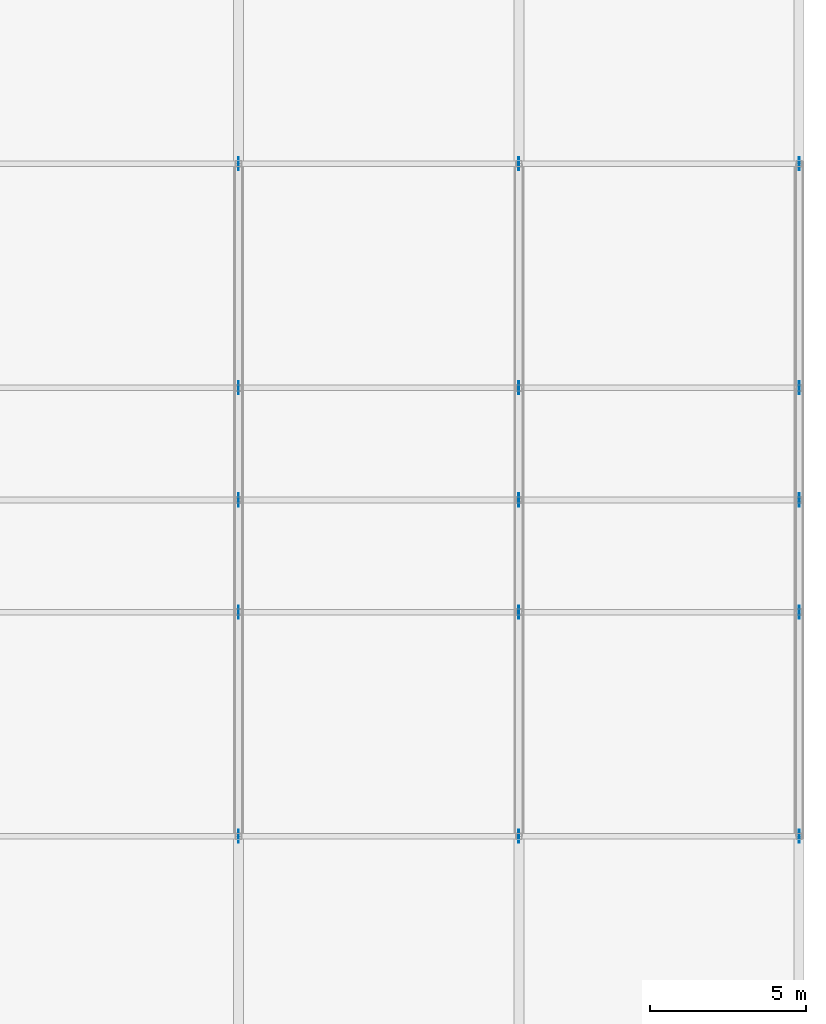
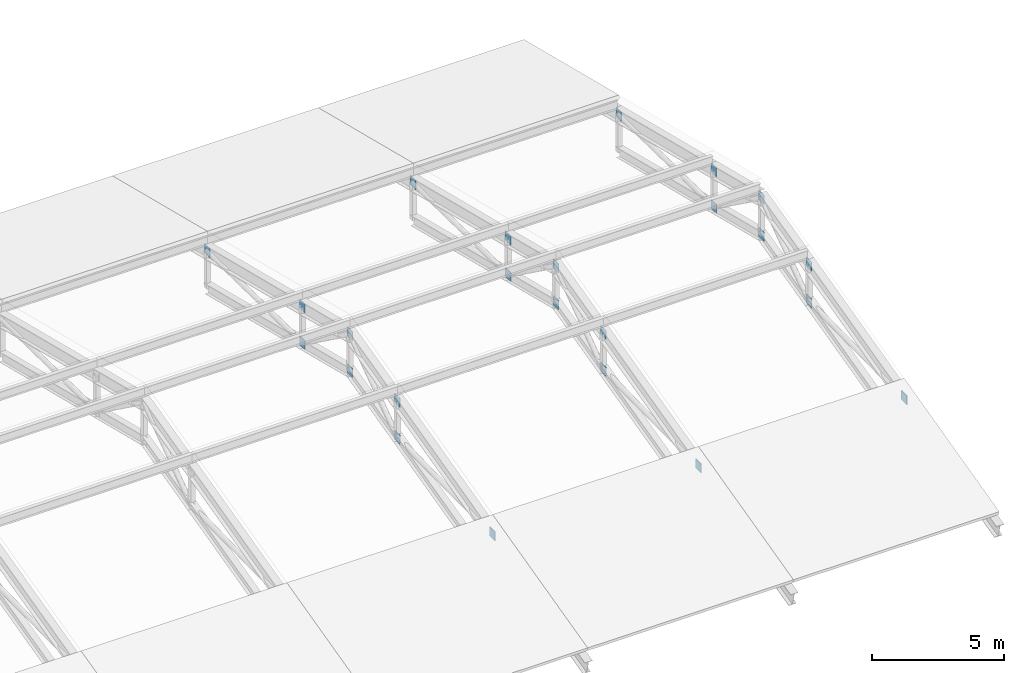
# One storey, part 91 of 124: 24 plates.
"""IFC4 building model written with IfcOpenShell, lengths in metres."""

from ifc_helpers import new_model, si_unit, direction, frame, origin, origin_2d, place, context, subcontext, project, spatial, rectangle, extrude, material, layer, layer_set, type_object, element, save


model = new_model("IFC4")

# Units and contexts
model_context = context("Model", 3, precision=1e-05, world=origin(), true_north=direction((0.0, 1.0)))
body_context = subcontext(model_context, "Body", "Model", "MODEL_VIEW")
ifc_project = project(units=[si_unit("LENGTHUNIT", "METRE"), si_unit("AREAUNIT", "SQUARE_METRE"), si_unit("VOLUMEUNIT", "CUBIC_METRE"), si_unit("PLANEANGLEUNIT", "RADIAN"), si_unit("MASSUNIT", "GRAM", prefix="KILO")], contexts=[model_context])

# Site, building, storey
site_placement = place(None, origin())
site = spatial("IfcSite", under=ifc_project, at=site_placement, CompositionType="ELEMENT")
building_placement = place(site_placement, origin())
building = spatial("IfcBuilding", under=site, at=building_placement, Name="Celestram Park Convention Centre", CompositionType="ELEMENT")
storey_placement = place(building_placement, frame((0.0, 0.0, 15.300048828125)))
storey = spatial("IfcBuildingStorey", under=building, at=storey_placement, Name="L03", CompositionType="ELEMENT", Elevation=15.300048828125)

# Plates
ifc_material = material(Name="Steel ASTM A572 Grade 50", Category="steel")
ifc_layer = layer(ifc_material, 0.02490234375)
ifc_layer_set = layer_set([ifc_layer], Name="Steel ASTM A572 Grade 50")
plate_type = type_object("IfcPlateType", Name="STR-PLT-GP25", PredefinedType="USERDEFINED", material=ifc_layer_set)
for number, where, z_axis, x_axis, name in (
    (1, (198.0, 7.199951171875, 0.697998046875), (0.0, 0.0, 1.0), (0.0, 1.0, 0.0), "V3 truss node gusset plate"),
    (2, (198.0, 14.39990234375, 2.498046875), (0.0, 0.0, 1.0), (0.0, 1.0, 0.0), "V3 truss node gusset plate"),
    (3, (198.0, 14.39990234375, 0.798095703125), (0.0, 0.0, 1.0), (0.0, 1.0, 0.0), "V3 truss node gusset plate"),
    (4, (198.0, 18.0, 3.39794921875), (0.0, 0.0, 1.0), (0.0, 1.0, 0.0), "V3 truss node gusset plate"),
    (5, (198.0, 18.0, 1.697998046875), (0.0, 0.0, 1.0), (0.0, 1.0, 0.0), "V3 truss node gusset plate"),
    (6, (198.0, 21.60009765625, 2.498046875), (0.0, 0.0, 1.0), (0.0, 1.0, 0.0), "V3 truss node gusset plate"),
    (7, (198.0, 21.60009765625, 0.798095703125), (0.0, 0.0, 1.0), (0.0, 1.0, 0.0), "V3 truss node gusset plate"),
    (8, (198.0, 28.800048828125, 0.697998046875), (0.0, 0.0, 1.0), (0.0, 1.0, 0.0), "V3 truss node gusset plate"),
    (9, (207.0, 7.199951171875, 0.697998046875), (0.0, 0.0, 1.0), (0.0, 1.0, 0.0), "V3 truss node gusset plate"),
    (10, (207.0, 14.39990234375, 2.498046875), (0.0, 0.0, 1.0), (0.0, 1.0, 0.0), "V3 truss node gusset plate"),
    (11, (207.0, 14.39990234375, 0.798095703125), (0.0, 0.0, 1.0), (0.0, 1.0, 0.0), "V3 truss node gusset plate"),
    (12, (207.0, 18.0, 3.39794921875), (0.0, 0.0, 1.0), (0.0, 1.0, 0.0), "V3 truss node gusset plate"),
    (13, (207.0, 18.0, 1.697998046875), (0.0, 0.0, 1.0), (0.0, 1.0, 0.0), "V3 truss node gusset plate"),
    (14, (207.0, 21.60009765625, 2.498046875), (0.0, 0.0, 1.0), (0.0, 1.0, 0.0), "V3 truss node gusset plate"),
    (15, (207.0, 21.60009765625, 0.798095703125), (0.0, 0.0, 1.0), (0.0, 1.0, 0.0), "V3 truss node gusset plate"),
    (16, (207.0, 28.800048828125, 0.697998046875), (0.0, 0.0, 1.0), (0.0, 1.0, 0.0), "V3 truss node gusset plate"),
    (17, (216.0, 7.199951171875, 0.697998046875), (0.0, 0.0, 1.0), (0.0, 1.0, 0.0), "V3 truss node gusset plate"),
    (18, (216.0, 14.39990234375, 2.498046875), (0.0, 0.0, 1.0), (0.0, 1.0, 0.0), "V3 truss node gusset plate"),
    (19, (216.0, 14.39990234375, 0.798095703125), (0.0, 0.0, 1.0), (0.0, 1.0, 0.0), "V3 truss node gusset plate"),
    (20, (216.0, 18.0, 3.39794921875), (0.0, 0.0, 1.0), (0.0, 1.0, 0.0), "V3 truss node gusset plate"),
    (21, (216.0, 18.0, 1.697998046875), (0.0, 0.0, 1.0), (0.0, 1.0, 0.0), "V3 truss node gusset plate"),
    (22, (216.0, 21.60009765625, 2.498046875), (0.0, 0.0, 1.0), (0.0, 1.0, 0.0), "V3 truss node gusset plate"),
    (23, (216.0, 21.60009765625, 0.798095703125), (0.0, 0.0, 1.0), (0.0, 1.0, 0.0), "V3 truss node gusset plate"),
    (24, (216.0, 28.800048828125, 0.697998046875), (0.0, 0.0, 1.0), (0.0, 1.0, 0.0), "V3 truss node gusset plate"),
):
    element("IfcPlate", number, at=place(storey_placement, frame(where, z_axis=z_axis, x_axis=x_axis)), inside=storey, type_object=plate_type, Name=name, ObjectType="GUSSET_PLATE", PredefinedType="USERDEFINED", context=body_context, shape_type="SweptSolid", body=[
        extrude(rectangle(XDim=0.419921875, YDim=0.02490234375, at=origin_2d()), origin(), (0.0, 0.0, 1.0), 0.419921875),
    ])

save(model, "model.ifc")
